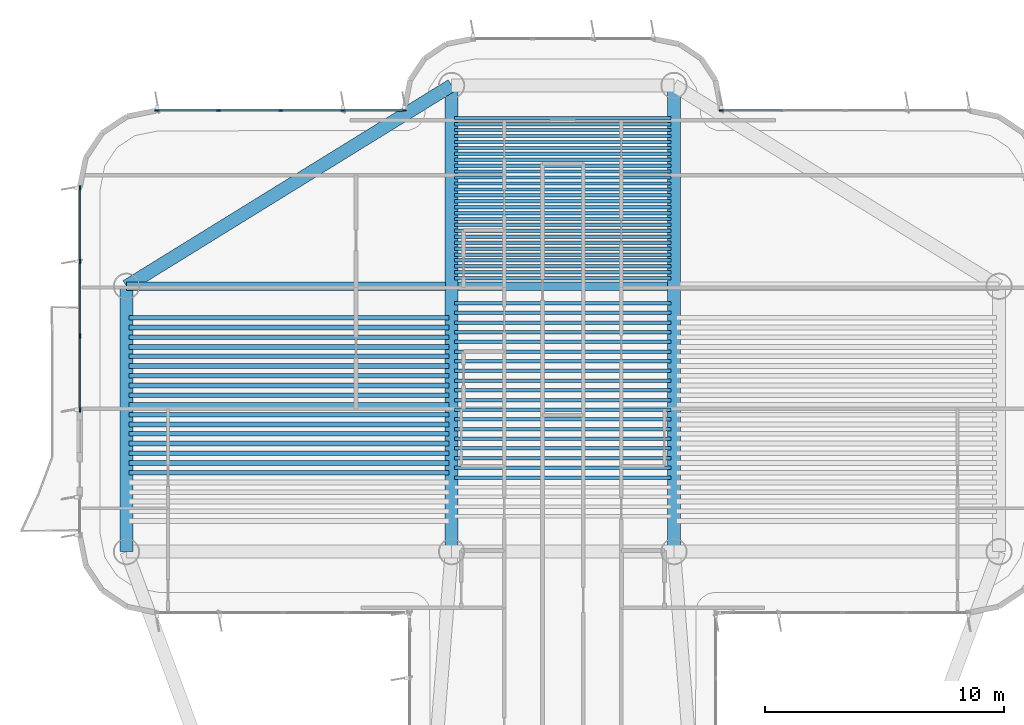
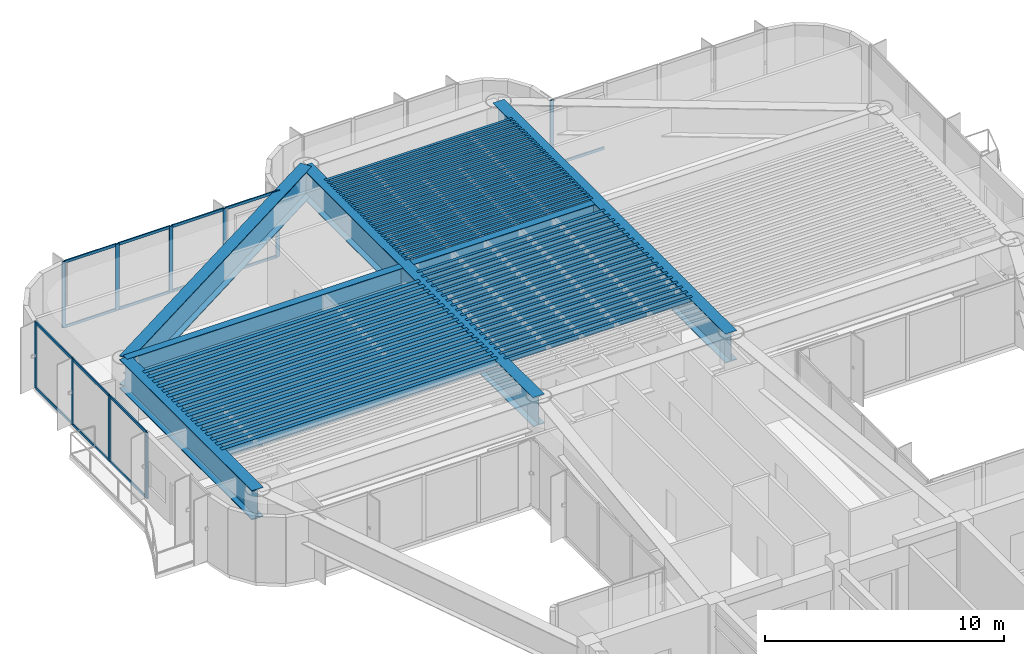
# One storey, part 5 of 13: 70 beams, 25 members, 3 elements without a shape of their own.
"""IFC4 building model written with IfcOpenShell, lengths in metres."""

from ifc_helpers import new_model, si_unit, direction, frame, origin, origin_2d, place, context, subcontext, project, spatial, rectangle, i_section, extrude, source, transform, mapped, material, layer, layer_set, material_profile, profile_set, type_object, element, aggregate, save


model = new_model("IFC4")

# Units and contexts
model_context = context("Model", 3, precision=1e-05, world=origin(), true_north=direction((0.0, 1.0)))
body_context = subcontext(model_context, "Body", "Model", "MODEL_VIEW")
ifc_project = project(units=[si_unit("LENGTHUNIT", "METRE"), si_unit("AREAUNIT", "SQUARE_METRE"), si_unit("VOLUMEUNIT", "CUBIC_METRE"), si_unit("PLANEANGLEUNIT", "RADIAN"), si_unit("MASSUNIT", "GRAM", prefix="KILO")], contexts=[model_context])

# Site, building, storey
site_placement = place(None, origin())
site = spatial("IfcSite", under=ifc_project, at=site_placement, CompositionType="ELEMENT")
building_placement = place(site_placement, origin())
building = spatial("IfcBuilding", under=site, at=building_placement, Name="Brelvock Crest Care Tower", CompositionType="ELEMENT")
storey_placement = place(building_placement, frame((0.0, 0.0, 209.340087890625)))
storey = spatial("IfcBuildingStorey", under=building, at=storey_placement, Name="L53", CompositionType="ELEMENT", Elevation=209.340087890625)

# Beams
ifc_material_1 = material(Name="Steel Grade 350", Category="steel")
ifc_material_profile_1 = material_profile(ifc_material_1, i_section(OverallWidth=0.14599609375, OverallDepth=0.256103515625, WebThickness=0.00634765625, FlangeThickness=0.010986328125, FilletRadius=0.0087890625, at=origin_2d()), Name="250UB37.3")
ifc_profile_set_1 = profile_set([ifc_material_profile_1], Name="Steel Grade 350")
beam_type_1 = type_object("IfcBeamType", Name="BM-J3", PredefinedType="JOIST", material=ifc_profile_set_1)
shared_shape_1 = source(origin(), body_context, "Body", "SweptSolid", [
    extrude(i_section(OverallWidth=0.14599609375, OverallDepth=0.256103515625, WebThickness=0.00634765625, FlangeThickness=0.010986328125, FilletRadius=0.0087890625, at=origin_2d()), origin(), (0.0, 0.0, 1.0), 9.06982421875),
])
for number, where, z_axis, x_axis, name in (
    (1, (31.465087890625, 38.0498046875, 3.243896484375), (1.0, 0.0, 0.0), (0.0, 1.0, 0.0), "BM-JH-L53-7"),
    (2, (31.465087890625, 38.454833984375, 3.243896484375), (1.0, 0.0, 0.0), (0.0, 1.0, 0.0), "BM-JH-L53-8"),
    (3, (31.465087890625, 38.860107421875, 3.243896484375), (1.0, 0.0, 0.0), (0.0, 1.0, 0.0), "BM-JH-L53-9"),
    (4, (31.465087890625, 39.26513671875, 3.243896484375), (1.0, 0.0, 0.0), (0.0, 1.0, 0.0), "BM-JH-L53-10"),
    (5, (31.465087890625, 39.67041015625, 3.243896484375), (1.0, 0.0, 0.0), (0.0, 1.0, 0.0), "BM-JH-L53-11"),
    (6, (31.465087890625, 40.075439453125, 3.243896484375), (1.0, 0.0, 0.0), (0.0, 1.0, 0.0), "BM-JH-L53-12"),
    (7, (31.465087890625, 40.480712890625, 3.243896484375), (1.0, 0.0, 0.0), (0.0, 1.0, 0.0), "BM-JH-L53-13"),
    (8, (31.465087890625, 40.8857421875, 3.243896484375), (1.0, 0.0, 0.0), (0.0, 1.0, 0.0), "BM-JH-L53-14"),
    (9, (31.465087890625, 41.291015625, 3.243896484375), (1.0, 0.0, 0.0), (0.0, 1.0, 0.0), "BM-JH-L53-15"),
    (10, (31.465087890625, 41.696044921875, 3.243896484375), (1.0, 0.0, 0.0), (0.0, 1.0, 0.0), "BM-JH-L53-16"),
    (11, (31.465087890625, 42.101318359375, 3.243896484375), (1.0, 0.0, 0.0), (0.0, 1.0, 0.0), "BM-JH-L53-17"),
    (12, (31.465087890625, 42.50634765625, 3.243896484375), (1.0, 0.0, 0.0), (0.0, 1.0, 0.0), "BM-JH-L53-18"),
    (13, (31.465087890625, 42.91162109375, 3.243896484375), (1.0, 0.0, 0.0), (0.0, 1.0, 0.0), "BM-JH-L53-19"),
    (14, (31.465087890625, 43.316650390625, 3.243896484375), (1.0, 0.0, 0.0), (0.0, 1.0, 0.0), "BM-JH-L53-20"),
    (15, (31.465087890625, 43.7216796875, 3.243896484375), (1.0, 0.0, 0.0), (0.0, 1.0, 0.0), "BM-JH-L53-21"),
    (16, (31.465087890625, 44.126953125, 3.243896484375), (1.0, 0.0, 0.0), (0.0, 1.0, 0.0), "BM-JH-L53-22"),
    (17, (31.465087890625, 44.531982421875, 3.243896484375), (1.0, 0.0, 0.0), (0.0, 1.0, 0.0), "BM-JH-L53-23"),
    (18, (31.465087890625, 44.937255859375, 3.243896484375), (1.0, 0.0, 0.0), (0.0, 1.0, 0.0), "BM-JH-L53-24"),
    (19, (31.465087890625, 45.34228515625, 3.243896484375), (1.0, 0.0, 0.0), (0.0, 1.0, 0.0), "BM-JH-L53-25"),
    (20, (31.465087890625, 46.385986328125, 3.243896484375), (1.0, 0.0, 0.0), (0.0, 1.0, 0.0), "BM-JN-L53-1"),
    (21, (31.465087890625, 46.6337890625, 3.243896484375), (1.0, 0.0, 0.0), (0.0, 1.0, 0.0), "BM-JN-L53-2"),
    (22, (31.465087890625, 46.881591796875, 3.243896484375), (1.0, 0.0, 0.0), (0.0, 1.0, 0.0), "BM-JN-L53-3"),
    (23, (31.465087890625, 47.12939453125, 3.243896484375), (1.0, 0.0, 0.0), (0.0, 1.0, 0.0), "BM-JN-L53-4"),
    (24, (31.465087890625, 47.377197265625, 3.243896484375), (1.0, 0.0, 0.0), (0.0, 1.0, 0.0), "BM-JN-L53-5"),
    (25, (31.465087890625, 47.625, 3.243896484375), (1.0, 0.0, 0.0), (0.0, 1.0, 0.0), "BM-JN-L53-6"),
    (26, (31.465087890625, 47.872802734375, 3.243896484375), (1.0, 0.0, 0.0), (0.0, 1.0, 0.0), "BM-JN-L53-7"),
    (27, (31.465087890625, 48.12060546875, 3.243896484375), (1.0, 0.0, 0.0), (0.0, 1.0, 0.0), "BM-JN-L53-8"),
    (28, (31.465087890625, 48.368408203125, 3.243896484375), (1.0, 0.0, 0.0), (0.0, 1.0, 0.0), "BM-JN-L53-9"),
    (29, (31.465087890625, 48.6162109375, 3.243896484375), (1.0, 0.0, 0.0), (0.0, 1.0, 0.0), "BM-JN-L53-10"),
    (30, (31.465087890625, 48.864013671875, 3.243896484375), (1.0, 0.0, 0.0), (0.0, 1.0, 0.0), "BM-JN-L53-11"),
    (31, (31.465087890625, 49.11181640625, 3.243896484375), (1.0, 0.0, 0.0), (0.0, 1.0, 0.0), "BM-JN-L53-12"),
    (32, (31.465087890625, 49.359619140625, 3.243896484375), (1.0, 0.0, 0.0), (0.0, 1.0, 0.0), "BM-JN-L53-13"),
):
    element("IfcBeam", number, at=place(storey_placement, frame(where, z_axis=z_axis, x_axis=x_axis)), inside=storey, type_object=beam_type_1, Name=name, PredefinedType="JOIST", context=body_context, shape_type="MappedRepresentation", body=[
        mapped(shared_shape_1, transform((0.0, 0.0, 0.0), x_axis=(1.0, 0.0, 0.0), y_axis=(0.0, 1.0, 0.0), z_axis=(0.0, 0.0, 1.0), scale=1.0)),
    ])
ifc_material_profile_2 = material_profile(ifc_material_1, i_section(OverallWidth=0.134033203125, OverallDepth=0.20703125, WebThickness=0.00634765625, FlangeThickness=0.009521484375, FilletRadius=0.0087890625, at=origin_2d()), Name="200UB29.8")
ifc_profile_set_2 = profile_set([ifc_material_profile_2], Name="Steel Grade 350")
beam_type_2 = type_object("IfcBeamType", Name="BM-J4", PredefinedType="JOIST", material=ifc_profile_set_2)
shared_shape_2 = source(origin(), body_context, "Body", "SweptSolid", [
    extrude(i_section(OverallWidth=0.134033203125, OverallDepth=0.20703125, WebThickness=0.00634765625, FlangeThickness=0.009521484375, FilletRadius=0.0087890625, at=origin_2d()), origin(), (0.0, 0.0, 1.0), 9.06982421875),
])
for number, where, z_axis, x_axis, name in (
    (33, (31.465087890625, 49.607421875, 3.268310546875), (1.0, 0.0, 0.0), (0.0, 1.0, 0.0), "BM-JN-L53-14"),
    (34, (31.465087890625, 49.855224609375, 3.268310546875), (1.0, 0.0, 0.0), (0.0, 1.0, 0.0), "BM-JN-L53-15"),
    (35, (31.465087890625, 50.10302734375, 3.268310546875), (1.0, 0.0, 0.0), (0.0, 1.0, 0.0), "BM-JN-L53-16"),
    (36, (31.465087890625, 50.350830078125, 3.268310546875), (1.0, 0.0, 0.0), (0.0, 1.0, 0.0), "BM-JN-L53-17"),
    (37, (31.465087890625, 50.5986328125, 3.268310546875), (1.0, 0.0, 0.0), (0.0, 1.0, 0.0), "BM-JN-L53-18"),
    (38, (31.465087890625, 50.846435546875, 3.268310546875), (1.0, 0.0, 0.0), (0.0, 1.0, 0.0), "BM-JN-L53-19"),
    (39, (31.465087890625, 51.09423828125, 3.268310546875), (1.0, 0.0, 0.0), (0.0, 1.0, 0.0), "BM-JN-L53-20"),
    (40, (31.465087890625, 51.342041015625, 3.268310546875), (1.0, 0.0, 0.0), (0.0, 1.0, 0.0), "BM-JN-L53-21"),
    (41, (31.465087890625, 51.58984375, 3.268310546875), (1.0, 0.0, 0.0), (0.0, 1.0, 0.0), "BM-JN-L53-22"),
    (42, (31.465087890625, 51.837646484375, 3.268310546875), (1.0, 0.0, 0.0), (0.0, 1.0, 0.0), "BM-JN-L53-23"),
    (43, (31.465087890625, 52.08544921875, 3.268310546875), (1.0, 0.0, 0.0), (0.0, 1.0, 0.0), "BM-JN-L53-24"),
    (44, (31.465087890625, 52.333251953125, 3.268310546875), (1.0, 0.0, 0.0), (0.0, 1.0, 0.0), "BM-JN-L53-25"),
    (45, (31.465087890625, 52.5810546875, 3.268310546875), (1.0, 0.0, 0.0), (0.0, 1.0, 0.0), "BM-JN-L53-26"),
    (46, (31.465087890625, 52.828857421875, 3.268310546875), (1.0, 0.0, 0.0), (0.0, 1.0, 0.0), "BM-JN-L53-27"),
    (47, (31.465087890625, 53.07666015625, 3.268310546875), (1.0, 0.0, 0.0), (0.0, 1.0, 0.0), "BM-JN-L53-28"),
):
    element("IfcBeam", number, at=place(storey_placement, frame(where, z_axis=z_axis, x_axis=x_axis)), inside=storey, type_object=beam_type_2, Name=name, PredefinedType="JOIST", context=body_context, shape_type="MappedRepresentation", body=[
        mapped(shared_shape_2, transform((0.0, 0.0, 0.0), x_axis=(1.0, 0.0, 0.0), y_axis=(0.0, 1.0, 0.0), z_axis=(0.0, 0.0, 1.0), scale=1.0)),
    ])
ifc_material_profile_3 = material_profile(ifc_material_1, i_section(OverallWidth=0.35009765625, OverallDepth=0.89990234375, WebThickness=0.01611328125, FlangeThickness=0.028076171875, at=origin_2d()), Name="900WB257")
ifc_profile_set_3 = profile_set([ifc_material_profile_3], Name="Steel Grade 350")
beam_type_3 = type_object("IfcBeamType", Name="BM-G6", PredefinedType="BEAM", material=ifc_profile_set_3)
shared_shape_3 = source(origin(), body_context, "Body", "SweptSolid", [
    extrude(i_section(OverallWidth=0.35009765625, OverallDepth=0.89990234375, WebThickness=0.01611328125, FlangeThickness=0.028076171875, at=origin_2d()), origin(), (0.0, 0.0, 1.0), 8.77978515625),
])
beam_1_placement = place(storey_placement, frame((31.610107421875, 46.050048828125, 2.921875), z_axis=(1.0, 0.0, 0.0), x_axis=(0.0, 1.0, 0.0)))
element("IfcBeam", 48, at=beam_1_placement, inside=storey, type_object=beam_type_3, Name="BM-TIE-L53-C", PredefinedType="BEAM", context=body_context, shape_type="MappedRepresentation", body=[
    mapped(shared_shape_3, transform((0.0, 0.0, 0.0), x_axis=(1.0, 0.0, 0.0), y_axis=(0.0, 1.0, 0.0), z_axis=(0.0, 0.0, 1.0), scale=1.0)),
])
shared_shape_4 = source(origin(), body_context, "Body", "SweptSolid", [
    extrude(i_section(OverallWidth=0.35009765625, OverallDepth=0.89990234375, WebThickness=0.01611328125, FlangeThickness=0.028076171875, at=origin_2d()), origin(), (0.0, 0.0, 1.0), 13.340087890625),
])
beam_2_placement = place(storey_placement, frame((17.75, 46.050048828125, 2.921875), z_axis=(1.0, 0.0, 0.0), x_axis=(0.0, 1.0, 0.0)))
element("IfcBeam", 49, at=beam_2_placement, inside=storey, type_object=beam_type_3, Name="BM-TIE-L53-W", PredefinedType="BEAM", context=body_context, shape_type="MappedRepresentation", body=[
    mapped(shared_shape_4, transform((0.0, 0.0, 0.0), x_axis=(1.0, 0.0, 0.0), y_axis=(0.0, 1.0, 0.0), z_axis=(0.0, 0.0, 1.0), scale=1.0)),
])
ifc_material_profile_4 = material_profile(ifc_material_1, i_section(OverallWidth=0.208984375, OverallDepth=0.532958984375, WebThickness=0.01025390625, FlangeThickness=0.015625, FilletRadius=0.013916015625, at=origin_2d()), Name="530UB92.4")
ifc_profile_set_4 = profile_set([ifc_material_profile_4], Name="Steel Grade 350")
beam_type_4 = type_object("IfcBeamType", Name="BM-G2", PredefinedType="BEAM", material=ifc_profile_set_4)
shared_shape_5 = source(origin(), body_context, "Body", "SweptSolid", [
    extrude(i_section(OverallWidth=0.208984375, OverallDepth=0.532958984375, WebThickness=0.01025390625, FlangeThickness=0.015625, FilletRadius=0.013916015625, at=origin_2d()), origin(), (0.0, 0.0, 1.0), 13.3701171875),
])
for number, where, z_axis, x_axis, name in (
    (50, (17.864990234375, 38.657470703125, 3.10546875), (1.0, 0.0, 0.0), (0.0, 1.0, 0.0), "BM-JW-L53-9"),
    (51, (17.864990234375, 39.4677734375, 3.10546875), (1.0, 0.0, 0.0), (0.0, 1.0, 0.0), "BM-JW-L53-11"),
    (52, (17.864990234375, 40.278076171875, 3.10546875), (1.0, 0.0, 0.0), (0.0, 1.0, 0.0), "BM-JW-L53-13"),
    (53, (17.864990234375, 41.08837890625, 3.10546875), (1.0, 0.0, 0.0), (0.0, 1.0, 0.0), "BM-JW-L53-15"),
    (54, (17.864990234375, 41.898681640625, 3.10546875), (1.0, 0.0, 0.0), (0.0, 1.0, 0.0), "BM-JW-L53-17"),
    (55, (17.864990234375, 42.708984375, 3.10546875), (1.0, 0.0, 0.0), (0.0, 1.0, 0.0), "BM-JW-L53-19"),
    (56, (17.864990234375, 43.519287109375, 3.10546875), (1.0, 0.0, 0.0), (0.0, 1.0, 0.0), "BM-JW-L53-21"),
    (57, (17.864990234375, 44.32958984375, 3.10546875), (1.0, 0.0, 0.0), (0.0, 1.0, 0.0), "BM-JW-L53-23"),
):
    element("IfcBeam", number, at=place(storey_placement, frame(where, z_axis=z_axis, x_axis=x_axis)), inside=storey, type_object=beam_type_4, Name=name, PredefinedType="BEAM", context=body_context, shape_type="MappedRepresentation", body=[
        mapped(shared_shape_5, transform((0.0, 0.0, 0.0), x_axis=(1.0, 0.0, 0.0), y_axis=(0.0, 1.0, 0.0), z_axis=(0.0, 0.0, 1.0), scale=1.0)),
    ])
ifc_material_profile_5 = material_profile(ifc_material_1, i_section(OverallWidth=0.19091796875, OverallDepth=0.4599609375, WebThickness=0.010009765625, FlangeThickness=0.01611328125, FilletRadius=0.011474609375, at=origin_2d()), Name="460UB82.1")
ifc_profile_set_5 = profile_set([ifc_material_profile_5], Name="Steel Grade 350")
beam_type_5 = type_object("IfcBeamType", Name="BM-G3", PredefinedType="BEAM", material=ifc_profile_set_5)
shared_shape_6 = source(origin(), body_context, "Body", "SweptSolid", [
    extrude(i_section(OverallWidth=0.19091796875, OverallDepth=0.4599609375, WebThickness=0.010009765625, FlangeThickness=0.01611328125, FilletRadius=0.011474609375, at=origin_2d()), origin(), (0.0, 0.0, 1.0), 13.3701171875),
])
for number, where, z_axis, x_axis, name in (
    (58, (17.864990234375, 38.252197265625, 3.141845703125), (1.0, 0.0, 0.0), (0.0, 1.0, 0.0), "BM-JW-L53-8"),
    (59, (17.864990234375, 39.0625, 3.141845703125), (1.0, 0.0, 0.0), (0.0, 1.0, 0.0), "BM-JW-L53-10"),
    (60, (17.864990234375, 39.872802734375, 3.141845703125), (1.0, 0.0, 0.0), (0.0, 1.0, 0.0), "BM-JW-L53-12"),
    (61, (17.864990234375, 40.68310546875, 3.141845703125), (1.0, 0.0, 0.0), (0.0, 1.0, 0.0), "BM-JW-L53-14"),
    (62, (17.864990234375, 41.493408203125, 3.141845703125), (1.0, 0.0, 0.0), (0.0, 1.0, 0.0), "BM-JW-L53-16"),
    (63, (17.864990234375, 42.3037109375, 3.141845703125), (1.0, 0.0, 0.0), (0.0, 1.0, 0.0), "BM-JW-L53-18"),
    (64, (17.864990234375, 43.114013671875, 3.141845703125), (1.0, 0.0, 0.0), (0.0, 1.0, 0.0), "BM-JW-L53-20"),
    (65, (17.864990234375, 43.92431640625, 3.141845703125), (1.0, 0.0, 0.0), (0.0, 1.0, 0.0), "BM-JW-L53-22"),
    (66, (17.864990234375, 44.734619140625, 3.141845703125), (1.0, 0.0, 0.0), (0.0, 1.0, 0.0), "BM-JW-L53-24"),
):
    element("IfcBeam", number, at=place(storey_placement, frame(where, z_axis=z_axis, x_axis=x_axis)), inside=storey, type_object=beam_type_5, Name=name, PredefinedType="BEAM", context=body_context, shape_type="MappedRepresentation", body=[
        mapped(shared_shape_6, transform((0.0, 0.0, 0.0), x_axis=(1.0, 0.0, 0.0), y_axis=(0.0, 1.0, 0.0), z_axis=(0.0, 0.0, 1.0), scale=1.0)),
    ])
ifc_material_profile_6 = material_profile(ifc_material_1, i_section(OverallWidth=0.550048828125, OverallDepth=1.5, WebThickness=0.02392578125, FlangeThickness=0.044921875, at=origin_2d()), Name="1500TG580")
ifc_profile_set_6 = profile_set([ifc_material_profile_6], Name="Steel Grade 350")
beam_type_6 = type_object("IfcBeamType", Name="BM-TG2", PredefinedType="USERDEFINED", material=ifc_profile_set_6)
shared_shape_7 = source(origin(), body_context, "Body", "SweptSolid", [
    extrude(i_section(OverallWidth=0.550048828125, OverallDepth=1.5, WebThickness=0.02392578125, FlangeThickness=0.044921875, at=origin_2d()), origin(), (0.0, 0.0, 1.0), 11.10009765625),
])
beam_3_placement = place(storey_placement, frame((17.75, 34.949951171875, 2.621826171875), z_axis=(0.0, 1.0, 0.0), x_axis=(-1.0, 0.0, 0.0)))
element("IfcBeam", 67, at=beam_3_placement, inside=storey, type_object=beam_type_6, Name="BM-TWR-L53-01", ObjectType="GIRDER", PredefinedType="USERDEFINED", context=body_context, shape_type="MappedRepresentation", body=[
    mapped(shared_shape_7, transform((0.0, 0.0, 0.0), x_axis=(1.0, 0.0, 0.0), y_axis=(0.0, 1.0, 0.0), z_axis=(0.0, 0.0, 1.0), scale=1.0)),
])
shared_shape_8 = source(origin(), body_context, "Body", "SweptSolid", [
    extrude(i_section(OverallWidth=0.550048828125, OverallDepth=1.5, WebThickness=0.02392578125, FlangeThickness=0.044921875, at=origin_2d()), origin(), (0.0, 0.0, 1.0), 15.985107421875),
])
beam_4_placement = place(storey_placement, frame((17.75, 46.050048828125, 2.621826171875), z_axis=(0.850802415717, 0.525485727124, 0.0), x_axis=(-0.525485727124, 0.850802415717, 0.0)))
element("IfcBeam", 68, at=beam_4_placement, inside=storey, type_object=beam_type_6, Name="BM-TWR-L53-06", ObjectType="GIRDER", PredefinedType="USERDEFINED", context=body_context, shape_type="MappedRepresentation", body=[
    mapped(shared_shape_8, transform((0.0, 0.0, 0.0), x_axis=(1.0, 0.0, 0.0), y_axis=(0.0, 1.0, 0.0), z_axis=(0.0, 0.0, 1.0), scale=1.0)),
])
shared_shape_9 = source(origin(), body_context, "Body", "SweptSolid", [
    extrude(i_section(OverallWidth=0.550048828125, OverallDepth=1.5, WebThickness=0.02392578125, FlangeThickness=0.044921875, at=origin_2d()), origin(), (0.0, 0.0, 1.0), 19.5),
])
for number, where, z_axis, x_axis, name in (
    (69, (31.35009765625, 34.949951171875, 2.621826171875), (0.0, 1.0, 0.0), (-1.0, 0.0, 0.0), "BM-TWR-L53-09"),
    (70, (40.64990234375, 34.949951171875, 2.621826171875), (0.0, 1.0, 0.0), (-1.0, 0.0, 0.0), "BM-TWR-L53-10"),
):
    element("IfcBeam", number, at=place(storey_placement, frame(where, z_axis=z_axis, x_axis=x_axis)), inside=storey, type_object=beam_type_6, Name=name, ObjectType="GIRDER", PredefinedType="USERDEFINED", context=body_context, shape_type="MappedRepresentation", body=[
        mapped(shared_shape_9, transform((0.0, 0.0, 0.0), x_axis=(1.0, 0.0, 0.0), y_axis=(0.0, 1.0, 0.0), z_axis=(0.0, 0.0, 1.0), scale=1.0)),
    ])

# Curtain wall, members
ifc_material_2 = material(Name="Dark Glass Double Glazed Low-E", Category="glass")
ifc_layer = layer(ifc_material_2, 0.22509765625, Name="CWS-4")
ifc_layer_set = layer_set([ifc_layer], Name="Dark Glass Double Glazed Low-E")
curtain_wall_type = type_object("IfcCurtainWallType", Name="CWS-4", PredefinedType="NOTDEFINED", material=ifc_layer_set)
curtain_wall_1_placement = place(storey_placement, origin())
curtain_wall_1 = element("IfcCurtainWall", 71, at=curtain_wall_1_placement, inside=storey, type_object=curtain_wall_type, Name="L53 Curtain Wall E22", PredefinedType="NOTDEFINED")
ifc_material_3 = material(Name="Aluminium 6063-T6", Category="aluminium")
ifc_material_profile_7 = material_profile(ifc_material_3, rectangle(XDim=0.06005859375, YDim=0.139892578125, at=origin_2d()), Name="ALU60x140")
ifc_profile_set_7 = profile_set([ifc_material_profile_7], Name="Aluminium 6063-T6")
member_type_1 = type_object("IfcMemberType", Name="CWT-2", PredefinedType="USERDEFINED", material=ifc_profile_set_7)
shared_shape_10 = source(origin(), body_context, "Body", "SweptSolid", [
    extrude(rectangle(XDim=0.06005859375, YDim=0.139892578125, at=origin_2d()), origin(), (0.0, 0.0, 1.0), 2.510009765625),
])
member_1_placement = place(storey_placement, frame((19.06005859375, 53.39990234375, 0.030029296875), z_axis=(1.0, 0.0, 0.0), x_axis=(0.0, 1.0, 0.0)))
member_1 = element("IfcMember", 72, at=member_1_placement, type_object=member_type_1, Name="CW-4 transom 1.1", ObjectType="TRANSOM", PredefinedType="USERDEFINED", context=body_context, shape_type="MappedRepresentation", body=[
    mapped(shared_shape_10, transform((0.0, 0.0, 0.0), x_axis=(1.0, 0.0, 0.0), y_axis=(0.0, 1.0, 0.0), z_axis=(0.0, 0.0, 1.0), scale=1.0)),
])
member_2_placement = place(storey_placement, frame((19.06005859375, 53.39990234375, 3.341796875), z_axis=(1.0, 0.0, 0.0), x_axis=(0.0, 1.0, 0.0)))
member_2 = element("IfcMember", 73, at=member_2_placement, type_object=member_type_1, Name="CW-4 transom 1.2", ObjectType="TRANSOM", PredefinedType="USERDEFINED", context=body_context, shape_type="MappedRepresentation", body=[
    mapped(shared_shape_10, transform((0.0, 0.0, 0.0), x_axis=(1.0, 0.0, 0.0), y_axis=(0.0, 1.0, 0.0), z_axis=(0.0, 0.0, 1.0), scale=1.0)),
])
member_3_placement = place(storey_placement, frame((26.830078125, 53.39990234375, 0.030029296875), z_axis=(1.0, 0.0, 0.0), x_axis=(0.0, 1.0, 0.0)))
member_3 = element("IfcMember", 74, at=member_3_placement, type_object=member_type_1, Name="CW-4 transom 4.1", ObjectType="TRANSOM", PredefinedType="USERDEFINED", context=body_context, shape_type="MappedRepresentation", body=[
    mapped(shared_shape_10, transform((0.0, 0.0, 0.0), x_axis=(1.0, 0.0, 0.0), y_axis=(0.0, 1.0, 0.0), z_axis=(0.0, 0.0, 1.0), scale=1.0)),
])
member_4_placement = place(storey_placement, frame((26.830078125, 53.39990234375, 3.341796875), z_axis=(1.0, 0.0, 0.0), x_axis=(0.0, 1.0, 0.0)))
member_4 = element("IfcMember", 75, at=member_4_placement, type_object=member_type_1, Name="CW-4 transom 4.2", ObjectType="TRANSOM", PredefinedType="USERDEFINED", context=body_context, shape_type="MappedRepresentation", body=[
    mapped(shared_shape_10, transform((0.0, 0.0, 0.0), x_axis=(1.0, 0.0, 0.0), y_axis=(0.0, 1.0, 0.0), z_axis=(0.0, 0.0, 1.0), scale=1.0)),
])

# Curtain wall, member
curtain_wall_2_placement = place(storey_placement, origin())
curtain_wall_2 = element("IfcCurtainWall", 76, at=curtain_wall_2_placement, inside=storey, type_object=curtain_wall_type, Name="L53 Curtain Wall E34", PredefinedType="NOTDEFINED")
member_5_placement = place(storey_placement, frame((42.659912109375, 53.39990234375, 0.030029296875), z_axis=(1.0, 0.0, 0.0), x_axis=(0.0, 1.0, 0.0)))
member_5 = element("IfcMember", 77, at=member_5_placement, type_object=member_type_1, Name="CW-4 transom 1.1", ObjectType="TRANSOM", PredefinedType="USERDEFINED", context=body_context, shape_type="MappedRepresentation", body=[
    mapped(shared_shape_10, transform((0.0, 0.0, 0.0), x_axis=(1.0, 0.0, 0.0), y_axis=(0.0, 1.0, 0.0), z_axis=(0.0, 0.0, 1.0), scale=1.0)),
])

# Member
shared_shape_11 = source(origin(), body_context, "Body", "SweptSolid", [
    extrude(rectangle(XDim=0.06005859375, YDim=0.139892578125, at=origin_2d()), origin(), (0.0, 0.0, 1.0), 2.5400390625),
])
member_6_placement = place(storey_placement, frame((21.6298828125, 53.39990234375, 0.030029296875), z_axis=(1.0, 0.0, 0.0), x_axis=(0.0, 1.0, 0.0)))
member_6 = element("IfcMember", 78, at=member_6_placement, type_object=member_type_1, Name="CW-4 transom 2.1", ObjectType="TRANSOM", PredefinedType="USERDEFINED", context=body_context, shape_type="MappedRepresentation", body=[
    mapped(shared_shape_11, transform((0.0, 0.0, 0.0), x_axis=(1.0, 0.0, 0.0), y_axis=(0.0, 1.0, 0.0), z_axis=(0.0, 0.0, 1.0), scale=1.0)),
])

member_7_placement = place(storey_placement, frame((21.6298828125, 53.39990234375, 3.341796875), z_axis=(1.0, 0.0, 0.0), x_axis=(0.0, 1.0, 0.0)))
member_7 = element("IfcMember", 79, at=member_7_placement, type_object=member_type_1, Name="CW-4 transom 2.2", ObjectType="TRANSOM", PredefinedType="USERDEFINED", context=body_context, shape_type="MappedRepresentation", body=[
    mapped(shared_shape_11, transform((0.0, 0.0, 0.0), x_axis=(1.0, 0.0, 0.0), y_axis=(0.0, 1.0, 0.0), z_axis=(0.0, 0.0, 1.0), scale=1.0)),
])

member_8_placement = place(storey_placement, frame((24.22998046875, 53.39990234375, 0.030029296875), z_axis=(1.0, 0.0, 0.0), x_axis=(0.0, 1.0, 0.0)))
member_8 = element("IfcMember", 80, at=member_8_placement, type_object=member_type_1, Name="CW-4 transom 3.1", ObjectType="TRANSOM", PredefinedType="USERDEFINED", context=body_context, shape_type="MappedRepresentation", body=[
    mapped(shared_shape_11, transform((0.0, 0.0, 0.0), x_axis=(1.0, 0.0, 0.0), y_axis=(0.0, 1.0, 0.0), z_axis=(0.0, 0.0, 1.0), scale=1.0)),
])

member_9_placement = place(storey_placement, frame((24.22998046875, 53.39990234375, 3.341796875), z_axis=(1.0, 0.0, 0.0), x_axis=(0.0, 1.0, 0.0)))
member_9 = element("IfcMember", 81, at=member_9_placement, type_object=member_type_1, Name="CW-4 transom 3.2", ObjectType="TRANSOM", PredefinedType="USERDEFINED", context=body_context, shape_type="MappedRepresentation", body=[
    mapped(shared_shape_11, transform((0.0, 0.0, 0.0), x_axis=(1.0, 0.0, 0.0), y_axis=(0.0, 1.0, 0.0), z_axis=(0.0, 0.0, 1.0), scale=1.0)),
])

# Curtain wall, members
curtain_wall_3_placement = place(storey_placement, origin())
curtain_wall_3 = element("IfcCurtainWall", 82, at=curtain_wall_3_placement, inside=storey, type_object=curtain_wall_type, Name="L53 Curtain Wall E17B", PredefinedType="NOTDEFINED")
shared_shape_12 = source(origin(), body_context, "Body", "SweptSolid", [
    extrude(rectangle(XDim=0.06005859375, YDim=0.139892578125, at=origin_2d()), origin(), (0.0, 0.0, 1.0), 3.02685546875),
])
member_10_placement = place(storey_placement, frame((15.800048828125, 40.909912109375, 0.030029296875), z_axis=(0.0, 1.0, 0.0), x_axis=(-1.0, 0.0, 0.0)))
member_10 = element("IfcMember", 83, at=member_10_placement, type_object=member_type_1, Name="CW-4 transom 1.1", ObjectType="TRANSOM", PredefinedType="USERDEFINED", context=body_context, shape_type="MappedRepresentation", body=[
    mapped(shared_shape_12, transform((0.0, 0.0, 0.0), x_axis=(1.0, 0.0, 0.0), y_axis=(0.0, 1.0, 0.0), z_axis=(0.0, 0.0, 1.0), scale=1.0)),
])
member_11_placement = place(storey_placement, frame((15.800048828125, 40.909912109375, 3.341796875), z_axis=(0.0, 1.0, 0.0), x_axis=(-1.0, 0.0, 0.0)))
member_11 = element("IfcMember", 84, at=member_11_placement, type_object=member_type_1, Name="CW-4 transom 1.2", ObjectType="TRANSOM", PredefinedType="USERDEFINED", context=body_context, shape_type="MappedRepresentation", body=[
    mapped(shared_shape_12, transform((0.0, 0.0, 0.0), x_axis=(1.0, 0.0, 0.0), y_axis=(0.0, 1.0, 0.0), z_axis=(0.0, 0.0, 1.0), scale=1.0)),
])
shared_shape_13 = source(origin(), body_context, "Body", "SweptSolid", [
    extrude(rectangle(XDim=0.06005859375, YDim=0.139892578125, at=origin_2d()), origin(), (0.0, 0.0, 1.0), 3.056640625),
])
member_12_placement = place(storey_placement, frame((15.800048828125, 43.99658203125, 0.030029296875), z_axis=(0.0, 1.0, 0.0), x_axis=(-1.0, 0.0, 0.0)))
member_12 = element("IfcMember", 85, at=member_12_placement, type_object=member_type_1, Name="CW-4 transom 2.1", ObjectType="TRANSOM", PredefinedType="USERDEFINED", context=body_context, shape_type="MappedRepresentation", body=[
    mapped(shared_shape_13, transform((0.0, 0.0, 0.0), x_axis=(1.0, 0.0, 0.0), y_axis=(0.0, 1.0, 0.0), z_axis=(0.0, 0.0, 1.0), scale=1.0)),
])
member_13_placement = place(storey_placement, frame((15.800048828125, 43.99658203125, 3.341796875), z_axis=(0.0, 1.0, 0.0), x_axis=(-1.0, 0.0, 0.0)))
member_13 = element("IfcMember", 86, at=member_13_placement, type_object=member_type_1, Name="CW-4 transom 2.2", ObjectType="TRANSOM", PredefinedType="USERDEFINED", context=body_context, shape_type="MappedRepresentation", body=[
    mapped(shared_shape_13, transform((0.0, 0.0, 0.0), x_axis=(1.0, 0.0, 0.0), y_axis=(0.0, 1.0, 0.0), z_axis=(0.0, 0.0, 1.0), scale=1.0)),
])
shared_shape_14 = source(origin(), body_context, "Body", "SweptSolid", [
    extrude(rectangle(XDim=0.06005859375, YDim=0.139892578125, at=origin_2d()), origin(), (0.0, 0.0, 1.0), 3.026611328125),
])
member_14_placement = place(storey_placement, frame((15.800048828125, 47.11328125, 0.030029296875), z_axis=(0.0, 1.0, 0.0), x_axis=(-1.0, 0.0, 0.0)))
member_14 = element("IfcMember", 87, at=member_14_placement, type_object=member_type_1, Name="CW-4 transom 3.1", ObjectType="TRANSOM", PredefinedType="USERDEFINED", context=body_context, shape_type="MappedRepresentation", body=[
    mapped(shared_shape_14, transform((0.0, 0.0, 0.0), x_axis=(1.0, 0.0, 0.0), y_axis=(0.0, 1.0, 0.0), z_axis=(0.0, 0.0, 1.0), scale=1.0)),
])
member_15_placement = place(storey_placement, frame((15.800048828125, 47.11328125, 3.341796875), z_axis=(0.0, 1.0, 0.0), x_axis=(-1.0, 0.0, 0.0)))
member_15 = element("IfcMember", 88, at=member_15_placement, type_object=member_type_1, Name="CW-4 transom 3.2", ObjectType="TRANSOM", PredefinedType="USERDEFINED", context=body_context, shape_type="MappedRepresentation", body=[
    mapped(shared_shape_14, transform((0.0, 0.0, 0.0), x_axis=(1.0, 0.0, 0.0), y_axis=(0.0, 1.0, 0.0), z_axis=(0.0, 0.0, 1.0), scale=1.0)),
])
ifc_material_profile_8 = material_profile(ifc_material_3, rectangle(XDim=0.06005859375, YDim=0.179931640625, at=origin_2d()), Name="ALU60x180")
ifc_profile_set_8 = profile_set([ifc_material_profile_8], Name="Aluminium 6063-T6")
member_type_2 = type_object("IfcMemberType", Name="CWM-2", PredefinedType="MULLION", material=ifc_profile_set_8)
shared_shape_15 = source(origin(), body_context, "Body", "SweptSolid", [
    extrude(rectangle(XDim=0.06005859375, YDim=0.179931640625, at=origin_2d()), origin(), (0.0, 0.0, 1.0), 3.371826171875),
])
member_16_placement = place(storey_placement, frame((15.800048828125, 40.8798828125, 0.0), z_axis=(0.0, 0.0, 1.0), x_axis=(-1.0, 0.0, 0.0)))
member_16 = element("IfcMember", 89, at=member_16_placement, type_object=member_type_2, Name="CW-4 mullion 1", PredefinedType="MULLION", context=body_context, shape_type="MappedRepresentation", body=[
    mapped(shared_shape_15, transform((0.0, 0.0, 0.0), x_axis=(1.0, 0.0, 0.0), y_axis=(0.0, 1.0, 0.0), z_axis=(0.0, 0.0, 1.0), scale=1.0)),
])
member_17_placement = place(storey_placement, frame((15.800048828125, 43.966552734375, 0.0), z_axis=(0.0, 0.0, 1.0), x_axis=(-1.0, 0.0, 0.0)))
member_17 = element("IfcMember", 90, at=member_17_placement, type_object=member_type_2, Name="CW-4 mullion 2", PredefinedType="MULLION", context=body_context, shape_type="MappedRepresentation", body=[
    mapped(shared_shape_15, transform((0.0, 0.0, 0.0), x_axis=(1.0, 0.0, 0.0), y_axis=(0.0, 1.0, 0.0), z_axis=(0.0, 0.0, 1.0), scale=1.0)),
])
member_18_placement = place(storey_placement, frame((15.800048828125, 47.083251953125, 0.0), z_axis=(0.0, 0.0, 1.0), x_axis=(-1.0, 0.0, 0.0)))
member_18 = element("IfcMember", 91, at=member_18_placement, type_object=member_type_2, Name="CW-4 mullion 3", PredefinedType="MULLION", context=body_context, shape_type="MappedRepresentation", body=[
    mapped(shared_shape_15, transform((0.0, 0.0, 0.0), x_axis=(1.0, 0.0, 0.0), y_axis=(0.0, 1.0, 0.0), z_axis=(0.0, 0.0, 1.0), scale=1.0)),
])
member_19_placement = place(storey_placement, frame((15.800048828125, 50.169921875, 0.0), z_axis=(0.0, 0.0, 1.0), x_axis=(-1.0, 0.0, 0.0)))
member_19 = element("IfcMember", 92, at=member_19_placement, type_object=member_type_2, Name="CW-4 mullion 4", PredefinedType="MULLION", context=body_context, shape_type="MappedRepresentation", body=[
    mapped(shared_shape_15, transform((0.0, 0.0, 0.0), x_axis=(1.0, 0.0, 0.0), y_axis=(0.0, 1.0, 0.0), z_axis=(0.0, 0.0, 1.0), scale=1.0)),
])
aggregate(curtain_wall_3, [member_16, member_17, member_18, member_19, member_10, member_11, member_12, member_13, member_14, member_15])

# Member
member_20_placement = place(storey_placement, frame((19.030029296875, 53.39990234375, 0.0), z_axis=(0.0, 0.0, 1.0), x_axis=(0.0, 1.0, 0.0)))
member_20 = element("IfcMember", 93, at=member_20_placement, type_object=member_type_2, Name="CW-4 mullion 1", PredefinedType="MULLION", context=body_context, shape_type="MappedRepresentation", body=[
    mapped(shared_shape_15, transform((0.0, 0.0, 0.0), x_axis=(1.0, 0.0, 0.0), y_axis=(0.0, 1.0, 0.0), z_axis=(0.0, 0.0, 1.0), scale=1.0)),
])

member_21_placement = place(storey_placement, frame((21.60009765625, 53.39990234375, 0.0), z_axis=(0.0, 0.0, 1.0), x_axis=(0.0, 1.0, 0.0)))
member_21 = element("IfcMember", 94, at=member_21_placement, type_object=member_type_2, Name="CW-4 mullion 2", PredefinedType="MULLION", context=body_context, shape_type="MappedRepresentation", body=[
    mapped(shared_shape_15, transform((0.0, 0.0, 0.0), x_axis=(1.0, 0.0, 0.0), y_axis=(0.0, 1.0, 0.0), z_axis=(0.0, 0.0, 1.0), scale=1.0)),
])

member_22_placement = place(storey_placement, frame((24.199951171875, 53.39990234375, 0.0), z_axis=(0.0, 0.0, 1.0), x_axis=(0.0, 1.0, 0.0)))
member_22 = element("IfcMember", 95, at=member_22_placement, type_object=member_type_2, Name="CW-4 mullion 3", PredefinedType="MULLION", context=body_context, shape_type="MappedRepresentation", body=[
    mapped(shared_shape_15, transform((0.0, 0.0, 0.0), x_axis=(1.0, 0.0, 0.0), y_axis=(0.0, 1.0, 0.0), z_axis=(0.0, 0.0, 1.0), scale=1.0)),
])

member_23_placement = place(storey_placement, frame((26.800048828125, 53.39990234375, 0.0), z_axis=(0.0, 0.0, 1.0), x_axis=(0.0, 1.0, 0.0)))
member_23 = element("IfcMember", 96, at=member_23_placement, type_object=member_type_2, Name="CW-4 mullion 4", PredefinedType="MULLION", context=body_context, shape_type="MappedRepresentation", body=[
    mapped(shared_shape_15, transform((0.0, 0.0, 0.0), x_axis=(1.0, 0.0, 0.0), y_axis=(0.0, 1.0, 0.0), z_axis=(0.0, 0.0, 1.0), scale=1.0)),
])

member_24_placement = place(storey_placement, frame((29.3701171875, 53.39990234375, 0.0), z_axis=(0.0, 0.0, 1.0), x_axis=(0.0, 1.0, 0.0)))
member_24 = element("IfcMember", 97, at=member_24_placement, type_object=member_type_2, Name="CW-4 mullion 5", PredefinedType="MULLION", context=body_context, shape_type="MappedRepresentation", body=[
    mapped(shared_shape_15, transform((0.0, 0.0, 0.0), x_axis=(1.0, 0.0, 0.0), y_axis=(0.0, 1.0, 0.0), z_axis=(0.0, 0.0, 1.0), scale=1.0)),
])

aggregate(curtain_wall_1, [member_20, member_21, member_22, member_23, member_24, member_1, member_2, member_6, member_7, member_8, member_9, member_3, member_4])

member_25_placement = place(storey_placement, frame((42.6298828125, 53.39990234375, 0.0), z_axis=(0.0, 0.0, 1.0), x_axis=(0.0, 1.0, 0.0)))
member_25 = element("IfcMember", 98, at=member_25_placement, type_object=member_type_2, Name="CW-4 mullion 1", PredefinedType="MULLION", context=body_context, shape_type="MappedRepresentation", body=[
    mapped(shared_shape_15, transform((0.0, 0.0, 0.0), x_axis=(1.0, 0.0, 0.0), y_axis=(0.0, 1.0, 0.0), z_axis=(0.0, 0.0, 1.0), scale=1.0)),
])

aggregate(curtain_wall_2, [member_25, member_5])

save(model, "model.ifc")
